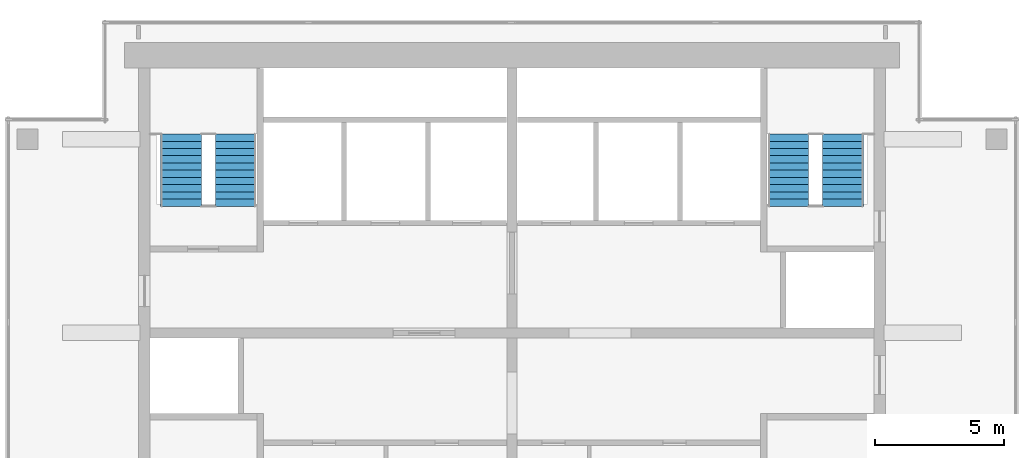
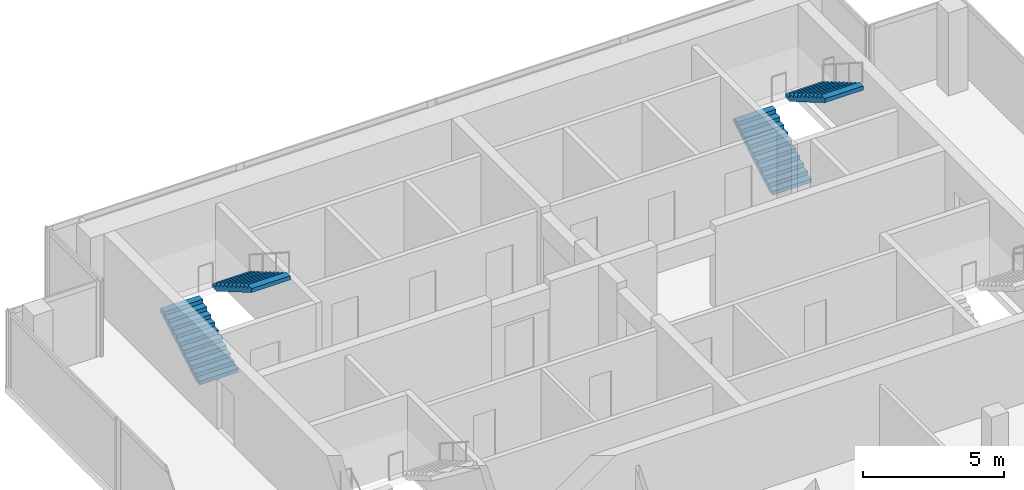
# One storey, part 7 of 8: 4 stair flights, 2 elements without a shape of their own.
"""IFC4 building model written with IfcOpenShell, lengths in metres."""

from ifc_helpers import new_model, si_unit, direction, frame, origin, place, context, subcontext, project, spatial, polyline, outline, extrude, material, type_object, element, aggregate, save


model = new_model("IFC4")

# Units and contexts
model_context = context("Model", 3, precision=1e-05, world=origin(), true_north=direction((0.0, 1.0)))
body_context = subcontext(model_context, "Body", "Model", "MODEL_VIEW")
ifc_project = project(units=[si_unit("LENGTHUNIT", "METRE"), si_unit("AREAUNIT", "SQUARE_METRE"), si_unit("VOLUMEUNIT", "CUBIC_METRE"), si_unit("PLANEANGLEUNIT", "RADIAN"), si_unit("MASSUNIT", "GRAM", prefix="KILO")], contexts=[model_context])

# Site, building, storey
site_placement = place(None, origin())
site = spatial("IfcSite", under=ifc_project, at=site_placement, CompositionType="ELEMENT")
building_placement = place(site_placement, origin())
building = spatial("IfcBuilding", under=site, at=building_placement, Name="Pilkhan Gate Tower", CompositionType="ELEMENT")
storey_placement = place(building_placement, frame((0.0, 0.0, 269.300048828125)))
storey = spatial("IfcBuildingStorey", under=building, at=storey_placement, Name="L70", CompositionType="ELEMENT", Elevation=269.300048828125)

# Stair, stair flights
ifc_material = material(Name="Concrete C40/50 precast", Category="concrete")
stair_type_1 = type_object("IfcStairType", Name="Stair ST3 164x280", PredefinedType="HALF_TURN_STAIR", material=ifc_material)
stair_1_placement = place(storey_placement, origin())
stair_1 = element("IfcStair", 1, at=stair_1_placement, inside=storey, type_object=stair_type_1, Name="Stair ST3 L70", PredefinedType="HALF_TURN_STAIR")
stair_flight_type_1 = type_object("IfcStairFlightType", Name="Stair flight ST3 164x280x11", PredefinedType="STRAIGHT", material=ifc_material)
stair_flight_1_placement = place(storey_placement, frame((62.18994140625, 87.39990234375, 0.0), z_axis=(0.0, 0.0, 1.0), x_axis=(0.0, 1.0, 0.0)))
stair_flight_1 = element("IfcStairFlight", 2, at=stair_flight_1_placement, type_object=stair_flight_type_1, Name="ST3 flight 1", NumberOfRisers=11, NumberOfTreads=10, PredefinedType="STRAIGHT", RiserHeight=0.163636364, TreadLength=0.28, context=body_context, shape_type="SweptSolid", body=[
    extrude(outline(polyline([(0.0, 0.0), (0.0, 0.16357421875), (0.280029296875, 0.16357421875), (0.280029296875, 0.327392578125), (0.56005859375, 0.327392578125), (0.56005859375, 0.490966796875), (0.840087890625, 0.490966796875), (0.840087890625, 0.654541015625), (1.1201171875, 0.654541015625), (1.1201171875, 0.818115234375), (1.39990234375, 0.818115234375), (1.39990234375, 0.98193359375), (1.679931640625, 0.98193359375), (1.679931640625, 1.1455078125), (1.9599609375, 1.1455078125), (1.9599609375, 1.30908203125), (2.239990234375, 1.30908203125), (2.239990234375, 1.47265625), (2.52001953125, 1.47265625), (2.52001953125, 1.636474609375), (2.800048828125, 1.636474609375), (2.800048828125, 1.800048828125), (2.800048828125, 1.462646484375), (0.297119140625, 0.0), (0.0, 0.0)])), frame((0.0, 0.7900390625, 0.0), z_axis=(0.0, -1.0, 0.0), x_axis=(1.0, 0.0, 0.0)), (0.0, 0.0, 1.0), 1.580078125),
])
stair_flight_2_placement = place(storey_placement, frame((64.31005859375, 90.199951171875, 1.800048828125), z_axis=(0.0, 0.0, 1.0), x_axis=(0.0, -1.0, 0.0)))
stair_flight_2 = element("IfcStairFlight", 3, at=stair_flight_2_placement, type_object=stair_flight_type_1, Name="ST3 flight 2", NumberOfRisers=11, NumberOfTreads=10, PredefinedType="STRAIGHT", RiserHeight=0.163636364, TreadLength=0.28, context=body_context, shape_type="SweptSolid", body=[
    extrude(outline(polyline([(0.0, 0.0), (0.0, 0.16357421875), (0.280029296875, 0.16357421875), (0.280029296875, 0.327392578125), (0.56005859375, 0.327392578125), (0.56005859375, 0.490966796875), (0.840087890625, 0.490966796875), (0.840087890625, 0.654541015625), (1.1201171875, 0.654541015625), (1.1201171875, 0.818115234375), (1.39990234375, 0.818115234375), (1.39990234375, 0.98193359375), (1.679931640625, 0.98193359375), (1.679931640625, 1.1455078125), (1.9599609375, 1.1455078125), (1.9599609375, 1.30908203125), (2.239990234375, 1.30908203125), (2.239990234375, 1.47265625), (2.52001953125, 1.47265625), (2.52001953125, 1.636474609375), (2.800048828125, 1.636474609375), (2.800048828125, 1.800048828125), (2.800048828125, 1.462646484375), (0.297119140625, 0.0), (0.0, 0.0)])), frame((0.0, 0.7900390625, 0.0), z_axis=(0.0, -1.0, 0.0), x_axis=(1.0, 0.0, 0.0)), (0.0, 0.0, 1.0), 1.580078125),
])
aggregate(stair_1, [stair_flight_1, stair_flight_2])

stair_type_2 = type_object("IfcStairType", Name="Stair ST4 164x280", PredefinedType="HALF_TURN_STAIR", material=ifc_material)
stair_2_placement = place(storey_placement, origin())
stair_2 = element("IfcStair", 4, at=stair_2_placement, inside=storey, type_object=stair_type_2, Name="Stair ST4 L70", PredefinedType="HALF_TURN_STAIR")
stair_flight_type_2 = type_object("IfcStairFlightType", Name="Stair flight ST4 164x280x11", PredefinedType="STRAIGHT", material=ifc_material)
stair_flight_3_placement = place(storey_placement, frame((85.68994140625, 87.39990234375, 0.0), z_axis=(0.0, 0.0, 1.0), x_axis=(0.0, 1.0, 0.0)))
stair_flight_3 = element("IfcStairFlight", 5, at=stair_flight_3_placement, type_object=stair_flight_type_2, Name="ST4 flight 1", NumberOfRisers=11, NumberOfTreads=10, PredefinedType="STRAIGHT", RiserHeight=0.163636364, TreadLength=0.28, context=body_context, shape_type="SweptSolid", body=[
    extrude(outline(polyline([(0.0, 0.0), (0.0, 0.16357421875), (0.280029296875, 0.16357421875), (0.280029296875, 0.327392578125), (0.56005859375, 0.327392578125), (0.56005859375, 0.490966796875), (0.840087890625, 0.490966796875), (0.840087890625, 0.654541015625), (1.1201171875, 0.654541015625), (1.1201171875, 0.818115234375), (1.39990234375, 0.818115234375), (1.39990234375, 0.98193359375), (1.679931640625, 0.98193359375), (1.679931640625, 1.1455078125), (1.9599609375, 1.1455078125), (1.9599609375, 1.30908203125), (2.239990234375, 1.30908203125), (2.239990234375, 1.47265625), (2.52001953125, 1.47265625), (2.52001953125, 1.636474609375), (2.800048828125, 1.636474609375), (2.800048828125, 1.800048828125), (2.800048828125, 1.462646484375), (0.297119140625, 0.0), (0.0, 0.0)])), frame((0.0, 0.7900390625, 0.0), z_axis=(0.0, -1.0, 0.0), x_axis=(1.0, 0.0, 0.0)), (0.0, 0.0, 1.0), 1.580078125),
])
stair_flight_4_placement = place(storey_placement, frame((87.81005859375, 90.199951171875, 1.800048828125), z_axis=(0.0, 0.0, 1.0), x_axis=(0.0, -1.0, 0.0)))
stair_flight_4 = element("IfcStairFlight", 6, at=stair_flight_4_placement, type_object=stair_flight_type_2, Name="ST4 flight 2", NumberOfRisers=11, NumberOfTreads=10, PredefinedType="STRAIGHT", RiserHeight=0.163636364, TreadLength=0.28, context=body_context, shape_type="SweptSolid", body=[
    extrude(outline(polyline([(0.0, 0.0), (0.0, 0.16357421875), (0.280029296875, 0.16357421875), (0.280029296875, 0.327392578125), (0.56005859375, 0.327392578125), (0.56005859375, 0.490966796875), (0.840087890625, 0.490966796875), (0.840087890625, 0.654541015625), (1.1201171875, 0.654541015625), (1.1201171875, 0.818115234375), (1.39990234375, 0.818115234375), (1.39990234375, 0.98193359375), (1.679931640625, 0.98193359375), (1.679931640625, 1.1455078125), (1.9599609375, 1.1455078125), (1.9599609375, 1.30908203125), (2.239990234375, 1.30908203125), (2.239990234375, 1.47265625), (2.52001953125, 1.47265625), (2.52001953125, 1.636474609375), (2.800048828125, 1.636474609375), (2.800048828125, 1.800048828125), (2.800048828125, 1.462646484375), (0.297119140625, 0.0), (0.0, 0.0)])), frame((0.0, 0.7900390625, 0.0), z_axis=(0.0, -1.0, 0.0), x_axis=(1.0, 0.0, 0.0)), (0.0, 0.0, 1.0), 1.580078125),
])
aggregate(stair_2, [stair_flight_3, stair_flight_4])

save(model, "model.ifc")
